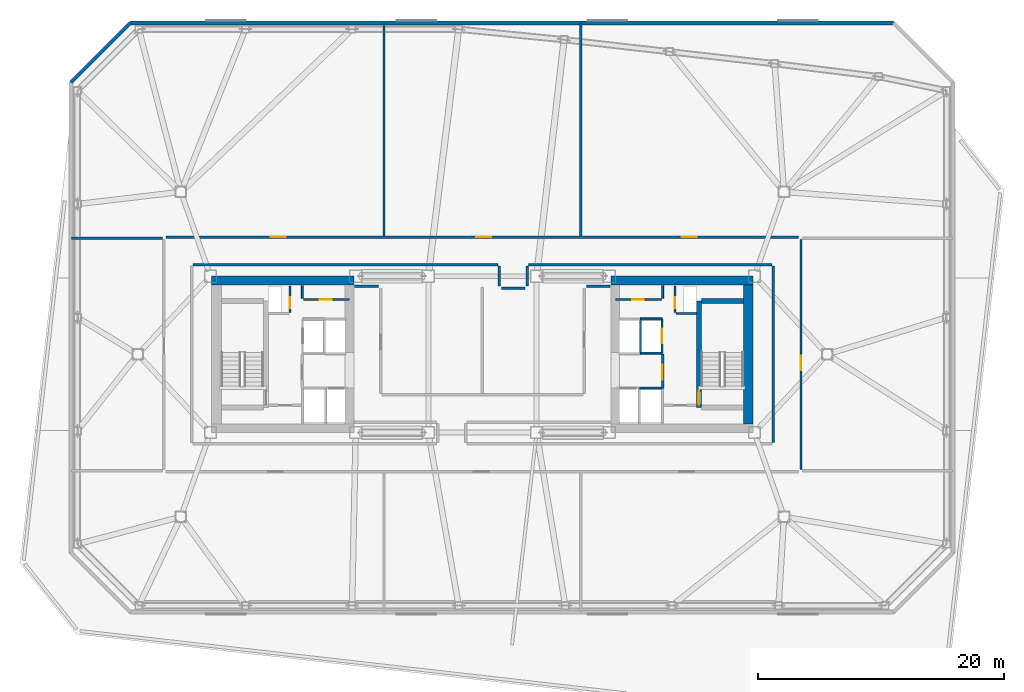
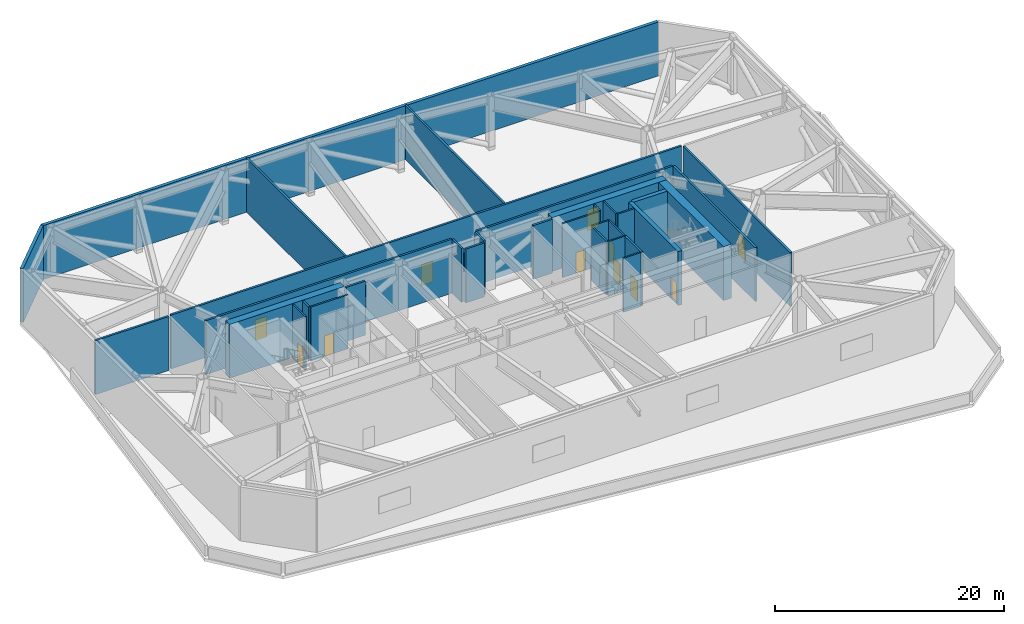
# One storey, part 5 of 12: 33 walls, 11 doors, 11 openings.
"""IFC4 building model written with IfcOpenShell, lengths in metres."""

from ifc_helpers import new_model, si_unit, direction, frame, frame_2d, origin, place, context, subcontext, project, spatial, rectangle, extrude, material, layer, layer_set, type_object, element, fill, save


model = new_model("IFC4")

# Units and contexts
model_context = context("Model", 3, precision=1e-05, world=origin(), true_north=direction((0.0, 1.0)))
body_context = subcontext(model_context, "Body", "Model", "MODEL_VIEW")
ifc_project = project(units=[si_unit("LENGTHUNIT", "METRE"), si_unit("AREAUNIT", "SQUARE_METRE"), si_unit("VOLUMEUNIT", "CUBIC_METRE"), si_unit("PLANEANGLEUNIT", "RADIAN"), si_unit("MASSUNIT", "GRAM", prefix="KILO")], contexts=[model_context])

# Site, building, storey
site_placement = place(None, origin())
site = spatial("IfcSite", under=ifc_project, at=site_placement, CompositionType="ELEMENT")
building_placement = place(site_placement, origin())
building = spatial("IfcBuilding", under=site, at=building_placement, Name="Tavrogorsk Clinical Tower", CompositionType="ELEMENT")
storey_placement = place(building_placement, frame((0.0, 0.0, 146.199951171875)))
storey = spatial("IfcBuildingStorey", under=building, at=storey_placement, Name="L33", CompositionType="ELEMENT", Elevation=146.199951171875)

# Wall, opening, door
ifc_material_1 = material(Name="Concrete B60", Category="concrete")
ifc_layer_1 = layer(ifc_material_1, 0.199951171875)
ifc_layer_set_1 = layer_set([ifc_layer_1], Name="Concrete B60")
wall_type_1 = type_object("IfcWallType", Name="CoreFireWall_200", PredefinedType="SOLIDWALL", material=ifc_layer_set_1)
wall_1_placement = place(storey_placement, frame((14.639892578125, -2.780029296875, 0.0), z_axis=(0.0, 0.0, 1.0), x_axis=(0.0, 1.0, 0.0)))
wall_1 = element("IfcWall", 1, at=wall_1_placement, inside=storey, type_object=wall_type_1, Name="L33 Core East Firefighting Lobby Fire Wall", PredefinedType="SOLIDWALL", context=body_context, shape_type="SweptSolid", body=[
    extrude(rectangle(XDim=2.820068359375, YDim=0.199951171875, at=frame_2d((1.41015625, 0.0))), origin(), (0.0, 0.0, 1.0), 5.739990234375),
])
opening_1_placement = place(wall_1_placement, frame((0.72998046875, 0.0, 0.0)))
opening_1 = element("IfcOpeningElement", 2, at=opening_1_placement, cuts=wall_1, Name="Opening FD-01", PredefinedType="OPENING", context=body_context, shape_type="SweptSolid", body=[
    extrude(rectangle(XDim=1.199951171875, YDim=2.199951171875, at=frame_2d((0.60009765625, 1.10009765625))), frame((0.0, 0.10986328125, 0.0), z_axis=(0.0, -1.0, 0.0), x_axis=(1.0, 0.0, 0.0)), (0.0, 0.0, 1.0), 0.219970703125),
])
ifc_material_2 = material(Name="Galvanised steel fire-rated door assembly", Category="steel")
door_type_1 = type_object("IfcDoorType", Name="FireDoor_FD01_1200", OperationType="NOTDEFINED", PredefinedType="DOOR", material=ifc_material_2)
door_1_placement = place(opening_1_placement, origin())
door_1 = element("IfcDoor", 3, at=door_1_placement, inside=storey, type_object=door_type_1, Name="L33 Core East Firefighting Lobby Entry Door", OperationType="SINGLE_SWING_RIGHT", OverallHeight=2.199951171875, OverallWidth=1.199951171875, PredefinedType="DOOR", context=body_context, shape_type="SweptSolid", body=[
    extrude(rectangle(XDim=1.199951171875, YDim=2.199951171875, at=frame_2d((0.60009765625, 1.10009765625))), frame((0.0, 0.02490234375, 0.0), z_axis=(0.0, -1.0, 0.0), x_axis=(1.0, 0.0, 0.0)), (0.0, 0.0, 1.0), 0.050048828125),
])
fill(opening_1, door_1)

# Wall, openings, doors
wall_2_placement = place(storey_placement, frame((-25.695068359375, 9.530029296875, 0.0), z_axis=(0.0, 0.0, 1.0), x_axis=(1.0, 0.0, 0.0)))
wall_2 = element("IfcWall", 4, at=wall_2_placement, inside=storey, type_object=wall_type_1, Name="L33 Refuge Corridor Fire Wall 02", PredefinedType="SOLIDWALL", context=body_context, shape_type="SweptSolid", body=[
    extrude(rectangle(XDim=51.39013671875, YDim=0.199951171875, at=frame_2d((25.695068359375, 0.0))), origin(), (0.0, 0.0, 1.0), 5.739990234375),
])
opening_2_placement = place(wall_2_placement, frame((25.199951171875, 0.0, 0.0)))
opening_2 = element("IfcOpeningElement", 5, at=opening_2_placement, cuts=wall_2, Name="Opening FD-01", PredefinedType="OPENING", context=body_context, shape_type="SweptSolid", body=[
    extrude(rectangle(XDim=1.199951171875, YDim=2.199951171875, at=frame_2d((0.60009765625, 1.10009765625))), frame((0.0, 0.10986328125, 0.0), z_axis=(0.0, -1.0, 0.0), x_axis=(1.0, 0.0, 0.0)), (0.0, 0.0, 1.0), 0.219970703125),
])
opening_3_placement = place(wall_2_placement, frame((8.494140625, 0.0, 0.0)))
opening_3 = element("IfcOpeningElement", 6, at=opening_3_placement, cuts=wall_2, Name="Opening FD-01", PredefinedType="OPENING", context=body_context, shape_type="SweptSolid", body=[
    extrude(rectangle(XDim=1.199951171875, YDim=2.199951171875, at=frame_2d((0.60009765625, 1.10009765625))), frame((0.0, 0.10986328125, 0.0), z_axis=(0.0, -1.0, 0.0), x_axis=(1.0, 0.0, 0.0)), (0.0, 0.0, 1.0), 0.219970703125),
])
opening_4_placement = place(wall_2_placement, frame((41.906005859375, 0.0, 0.0)))
opening_4 = element("IfcOpeningElement", 7, at=opening_4_placement, cuts=wall_2, Name="Opening FD-01", PredefinedType="OPENING", context=body_context, shape_type="SweptSolid", body=[
    extrude(rectangle(XDim=1.199951171875, YDim=2.199951171875, at=frame_2d((0.60009765625, 1.10009765625))), frame((0.0, 0.10986328125, 0.0), z_axis=(0.0, -1.0, 0.0), x_axis=(1.0, 0.0, 0.0)), (0.0, 0.0, 1.0), 0.219970703125),
])
door_2_placement = place(opening_2_placement, origin())
door_2 = element("IfcDoor", 8, at=door_2_placement, inside=storey, type_object=door_type_1, Name="L33 Assisted Bariatric Evacuation Refuge North Fire Door", OperationType="SINGLE_SWING_RIGHT", OverallHeight=2.199951171875, OverallWidth=1.199951171875, PredefinedType="DOOR", context=body_context, shape_type="SweptSolid", body=[
    extrude(rectangle(XDim=1.199951171875, YDim=2.199951171875, at=frame_2d((0.60009765625, 1.10009765625))), frame((0.0, 0.02490234375, 0.0), z_axis=(0.0, -1.0, 0.0), x_axis=(1.0, 0.0, 0.0)), (0.0, 0.0, 1.0), 0.050048828125),
])
fill(opening_2, door_2)
door_3_placement = place(opening_3_placement, origin())
door_3 = element("IfcDoor", 9, at=door_3_placement, inside=storey, type_object=door_type_1, Name="L33 HEPA Isolation AHU Plant West Fire Door", OperationType="SINGLE_SWING_LEFT", OverallHeight=2.199951171875, OverallWidth=1.199951171875, PredefinedType="DOOR", context=body_context, shape_type="SweptSolid", body=[
    extrude(rectangle(XDim=1.199951171875, YDim=2.199951171875, at=frame_2d((0.60009765625, 1.10009765625))), frame((0.0, 0.02490234375, 0.0), z_axis=(0.0, -1.0, 0.0), x_axis=(1.0, 0.0, 0.0)), (0.0, 0.0, 1.0), 0.050048828125),
])
fill(opening_3, door_3)
door_4_placement = place(opening_4_placement, origin())
door_4 = element("IfcDoor", 10, at=door_4_placement, inside=storey, type_object=door_type_1, Name="L33 HEPA Isolation AHU Plant East Fire Door", OperationType="SINGLE_SWING_RIGHT", OverallHeight=2.199951171875, OverallWidth=1.199951171875, PredefinedType="DOOR", context=body_context, shape_type="SweptSolid", body=[
    extrude(rectangle(XDim=1.199951171875, YDim=2.199951171875, at=frame_2d((0.60009765625, 1.10009765625))), frame((0.0, 0.02490234375, 0.0), z_axis=(0.0, -1.0, 0.0), x_axis=(1.0, 0.0, 0.0)), (0.0, 0.0, 1.0), 0.050048828125),
])
fill(opening_4, door_4)

# Wall, opening, door
wall_3_placement = place(storey_placement, frame((25.8798828125, 9.344970703125, 0.0), z_axis=(0.0, 0.0, 1.0), x_axis=(0.0, -1.0, 0.0)))
wall_3 = element("IfcWall", 11, at=wall_3_placement, inside=storey, type_object=wall_type_1, Name="L33 Refuge Corridor Fire Wall 03", PredefinedType="SOLIDWALL", context=body_context, shape_type="SweptSolid", body=[
    extrude(rectangle(XDim=18.68994140625, YDim=0.199951171875, at=frame_2d((9.344970703125, 0.0))), origin(), (0.0, 0.0, 1.0), 5.739990234375),
])
opening_5_placement = place(wall_3_placement, frame((9.449951171875, 0.0, 0.0)))
opening_5 = element("IfcOpeningElement", 12, at=opening_5_placement, cuts=wall_3, Name="Opening FD-01", PredefinedType="OPENING", context=body_context, shape_type="SweptSolid", body=[
    extrude(rectangle(XDim=1.199951171875, YDim=2.199951171875, at=frame_2d((0.60009765625, 1.10009765625))), frame((0.0, 0.10986328125, 0.0), z_axis=(0.0, -1.0, 0.0), x_axis=(1.0, 0.0, 0.0)), (0.0, 0.0, 1.0), 0.219970703125),
])
door_5_placement = place(opening_5_placement, origin())
door_5 = element("IfcDoor", 13, at=door_5_placement, inside=storey, type_object=door_type_1, Name="L33 Smoke Extract & Damper Plenum East Fire Door", OperationType="SINGLE_SWING_RIGHT", OverallHeight=2.199951171875, OverallWidth=1.199951171875, PredefinedType="DOOR", context=body_context, shape_type="SweptSolid", body=[
    extrude(rectangle(XDim=1.199951171875, YDim=2.199951171875, at=frame_2d((0.60009765625, 1.10009765625))), frame((0.0, 0.02490234375, 0.0), z_axis=(0.0, -1.0, 0.0), x_axis=(1.0, 0.0, 0.0)), (0.0, 0.0, 1.0), 0.050048828125),
])
fill(opening_5, door_5)

# Walls
for number, where, z_axis, x_axis, name in (
    (14, (-10.3798828125, 5.530029296875, 0.0), (0.0, 0.0, 1.0), (1.0, 0.0, 0.0), "L33 Refuge Corridor Fire Wall 07"),
    (15, (8.455078125, 5.530029296875, 0.0), (0.0, 0.0, 1.0), (1.0, 0.0, 0.0), "L33 Refuge Corridor Fire Wall 11"),
):
    element("IfcWall", number, at=place(storey_placement, frame(where, z_axis=z_axis, x_axis=x_axis)), inside=storey, type_object=wall_type_1, Name=name, PredefinedType="SOLIDWALL", context=body_context, shape_type="SweptSolid", body=[
        extrude(rectangle(XDim=1.9248046875, YDim=0.199951171875, at=frame_2d((0.96240234375, 0.0))), origin(), (0.0, 0.0, 1.0), 5.739990234375),
    ])
wall_4_placement = place(storey_placement, frame((23.6201171875, -7.1650390625, 0.0), z_axis=(0.0, 0.0, 1.0), x_axis=(0.0, 1.0, 0.0)))
element("IfcWall", 16, at=wall_4_placement, inside=storey, type_object=wall_type_1, Name="L33 Refuge Corridor Fire Wall 15", PredefinedType="SOLIDWALL", context=body_context, shape_type="SweptSolid", body=[
    extrude(rectangle(XDim=14.330078125, YDim=0.199951171875, at=frame_2d((7.1650390625, 0.0))), origin(), (0.0, 0.0, 1.0), 5.739990234375),
])
wall_5_placement = place(storey_placement, frame((23.514892578125, 7.27001953125, 0.0), z_axis=(0.0, 0.0, 1.0), x_axis=(-1.0, 0.0, 0.0)))
element("IfcWall", 17, at=wall_5_placement, inside=storey, type_object=wall_type_1, Name="L33 Refuge Corridor Fire Wall 16", PredefinedType="SOLIDWALL", context=body_context, shape_type="SweptSolid", body=[
    extrude(rectangle(XDim=19.77978515625, YDim=0.199951171875, at=frame_2d((9.889892578125, 0.0))), origin(), (0.0, 0.0, 1.0), 5.739990234375),
])
wall_6_placement = place(storey_placement, frame((3.6298828125, 7.1650390625, 0.0), z_axis=(0.0, 0.0, 1.0), x_axis=(0.0, -1.0, 0.0)))
element("IfcWall", 18, at=wall_6_placement, inside=storey, type_object=wall_type_1, Name="L33 Refuge Corridor Fire Wall 17", PredefinedType="SOLIDWALL", context=body_context, shape_type="SweptSolid", body=[
    extrude(rectangle(XDim=1.610107421875, YDim=0.199951171875, at=frame_2d((0.80517578125, 0.0))), origin(), (0.0, 0.0, 1.0), 5.739990234375),
])
wall_7_placement = place(storey_placement, frame((3.445068359375, 5.3701171875, 0.0), z_axis=(0.0, 0.0, 1.0), x_axis=(-1.0, 0.0, 0.0)))
element("IfcWall", 19, at=wall_7_placement, inside=storey, type_object=wall_type_1, Name="L33 Refuge Corridor Fire Wall 18", PredefinedType="SOLIDWALL", context=body_context, shape_type="SweptSolid", body=[
    extrude(rectangle(XDim=1.89013671875, YDim=0.199951171875, at=frame_2d((0.945068359375, 0.0))), origin(), (0.0, 0.0, 1.0), 5.739990234375),
])
wall_8_placement = place(storey_placement, frame((1.3701171875, 5.554931640625, 0.0), z_axis=(0.0, 0.0, 1.0), x_axis=(0.0, 1.0, 0.0)))
element("IfcWall", 20, at=wall_8_placement, inside=storey, type_object=wall_type_1, Name="L33 Refuge Corridor Fire Wall 19", PredefinedType="SOLIDWALL", context=body_context, shape_type="SweptSolid", body=[
    extrude(rectangle(XDim=1.610107421875, YDim=0.199951171875, at=frame_2d((0.80517578125, 0.0))), origin(), (0.0, 0.0, 1.0), 5.739990234375),
])
wall_9_placement = place(storey_placement, frame((1.264892578125, 7.27001953125, 0.0), z_axis=(0.0, 0.0, 1.0), x_axis=(-1.0, 0.0, 0.0)))
element("IfcWall", 21, at=wall_9_placement, inside=storey, type_object=wall_type_1, Name="L33 Refuge Corridor Fire Wall 20", PredefinedType="SOLIDWALL", context=body_context, shape_type="SweptSolid", body=[
    extrude(rectangle(XDim=24.77978515625, YDim=0.199951171875, at=frame_2d((12.389892578125, 0.0))), origin(), (0.0, 0.0, 1.0), 5.739990234375),
])
wall_10_placement = place(storey_placement, frame((-33.3798828125, 9.449951171875, 0.0), z_axis=(0.0, 0.0, 1.0), x_axis=(1.0, 0.0, 0.0)))
element("IfcWall", 22, at=wall_10_placement, inside=storey, type_object=wall_type_1, Name="L33 Refuge & Plant Fire Wall 3", PredefinedType="SOLIDWALL", context=body_context, shape_type="SweptSolid", body=[
    extrude(rectangle(XDim=7.394775390625, YDim=0.199951171875, at=frame_2d((3.697265625, 0.0))), origin(), (0.0, 0.0, 1.0), 5.739990234375),
])
for number, where, z_axis, x_axis, name in (
    (23, (-8.0, 9.635009765625, 0.0), (0.0, 0.0, 1.0), (0.0, 1.0, 0.0), "L33 Refuge & Plant Fire Wall 7"),
    (24, (8.0, 9.635009765625, 0.0), (0.0, 0.0, 1.0), (0.0, 1.0, 0.0), "L33 Refuge & Plant Fire Wall 8"),
):
    element("IfcWall", number, at=place(storey_placement, frame(where, z_axis=z_axis, x_axis=x_axis)), inside=storey, type_object=wall_type_1, Name=name, PredefinedType="SOLIDWALL", context=body_context, shape_type="SweptSolid", body=[
        extrude(rectangle(XDim=17.244873046875, YDim=0.199951171875, at=frame_2d((8.62255859375, 0.0))), origin(), (0.0, 0.0, 1.0), 5.739990234375),
    ])

# Wall, opening, door
ifc_material_3 = material(Name="Lightweight concrete blockwork B15", Category="masonry")
ifc_layer_2 = layer(ifc_material_3, 0.159912109375)
ifc_layer_set_2 = layer_set([ifc_layer_2], Name="Lightweight concrete blockwork B15")
wall_type_2 = type_object("IfcWallType", Name="PartitionWall_160", PredefinedType="PARTITIONING", material=ifc_layer_set_2)
wall_11_placement = place(storey_placement, frame((-14.554931640625, 4.4599609375, 0.0), z_axis=(0.0, 0.0, 1.0), x_axis=(1.0, 0.0, 0.0)))
wall_11 = element("IfcWall", 25, at=wall_11_placement, inside=storey, type_object=wall_type_2, Name="L33 Core West Pneumatic Dispatch South Wall", PredefinedType="PARTITIONING", context=body_context, shape_type="SweptSolid", body=[
    extrude(rectangle(XDim=3.7548828125, YDim=0.159912109375, at=frame_2d((1.87744140625, 0.0))), origin(), (0.0, 0.0, 1.0), 5.739990234375),
])
opening_6_placement = place(wall_11_placement, frame((1.35009765625, 0.0, 0.0)))
opening_6 = element("IfcOpeningElement", 26, at=opening_6_placement, cuts=wall_11, Name="Opening ID-02", PredefinedType="OPENING", context=body_context, shape_type="SweptSolid", body=[
    extrude(rectangle(XDim=0.949951171875, YDim=2.199951171875, at=frame_2d((0.47509765625, 1.10009765625))), frame((0.0, 0.08984375, 0.0), z_axis=(0.0, -1.0, 0.0), x_axis=(1.0, 0.0, 0.0)), (0.0, 0.0, 1.0), 0.179931640625),
])
ifc_material_4 = material(Name="Laminated timber leaf on aluminium frame", Category="wood")
door_type_2 = type_object("IfcDoorType", Name="InteriorDoor_ID02_950", OperationType="NOTDEFINED", PredefinedType="DOOR", material=ifc_material_4)
door_6_placement = place(opening_6_placement, origin())
door_6 = element("IfcDoor", 27, at=door_6_placement, inside=storey, type_object=door_type_2, Name="L33 Core West Pneumatic Dispatch Door", OperationType="SINGLE_SWING_LEFT", OverallHeight=2.199951171875, OverallWidth=0.949951171875, PredefinedType="DOOR", context=body_context, shape_type="SweptSolid", body=[
    extrude(rectangle(XDim=0.949951171875, YDim=2.199951171875, at=frame_2d((0.47509765625, 1.10009765625))), frame((0.0, 0.02490234375, 0.0), z_axis=(0.0, -1.0, 0.0), x_axis=(1.0, 0.0, 0.0)), (0.0, 0.0, 1.0), 0.050048828125),
])
fill(opening_6, door_6)

# Wall
wall_12_placement = place(storey_placement, frame((-14.639892578125, 4.544921875, 0.0), z_axis=(0.0, 0.0, 1.0), x_axis=(0.0, 1.0, 0.0)))
element("IfcWall", 28, at=wall_12_placement, inside=storey, type_object=wall_type_2, Name="L33 Core West Pneumatic Dispatch East Wall", PredefinedType="PARTITIONING", context=body_context, shape_type="SweptSolid", body=[
    extrude(rectangle(XDim=1.01513671875, YDim=0.159912109375, at=frame_2d((0.507568359375, 0.0))), origin(), (0.0, 0.0, 1.0), 5.739990234375),
])

# Wall, opening, door
wall_13_placement = place(storey_placement, frame((10.800048828125, 4.4599609375, 0.0), z_axis=(0.0, 0.0, 1.0), x_axis=(1.0, 0.0, 0.0)))
wall_13 = element("IfcWall", 29, at=wall_13_placement, inside=storey, type_object=wall_type_2, Name="L33 Core East Pneumatic Dispatch South Wall", PredefinedType="PARTITIONING", context=body_context, shape_type="SweptSolid", body=[
    extrude(rectangle(XDim=3.7548828125, YDim=0.159912109375, at=frame_2d((1.87744140625, 0.0))), origin(), (0.0, 0.0, 1.0), 5.739990234375),
])
opening_7_placement = place(wall_13_placement, frame((1.35009765625, 0.0, 0.0)))
opening_7 = element("IfcOpeningElement", 30, at=opening_7_placement, cuts=wall_13, Name="Opening ID-02", PredefinedType="OPENING", context=body_context, shape_type="SweptSolid", body=[
    extrude(rectangle(XDim=0.949951171875, YDim=2.199951171875, at=frame_2d((0.47509765625, 1.10009765625))), frame((0.0, 0.08984375, 0.0), z_axis=(0.0, -1.0, 0.0), x_axis=(1.0, 0.0, 0.0)), (0.0, 0.0, 1.0), 0.179931640625),
])
door_7_placement = place(opening_7_placement, origin())
door_7 = element("IfcDoor", 31, at=door_7_placement, inside=storey, type_object=door_type_2, Name="L33 Core East Pneumatic Dispatch Door", OperationType="SINGLE_SWING_LEFT", OverallHeight=2.199951171875, OverallWidth=0.949951171875, PredefinedType="DOOR", context=body_context, shape_type="SweptSolid", body=[
    extrude(rectangle(XDim=0.949951171875, YDim=2.199951171875, at=frame_2d((0.47509765625, 1.10009765625))), frame((0.0, 0.02490234375, 0.0), z_axis=(0.0, -1.0, 0.0), x_axis=(1.0, 0.0, 0.0)), (0.0, 0.0, 1.0), 0.050048828125),
])
fill(opening_7, door_7)

# Walls
wall_14_placement = place(storey_placement, frame((14.639892578125, 4.544921875, 0.0), z_axis=(0.0, 0.0, 1.0), x_axis=(0.0, 1.0, 0.0)))
element("IfcWall", 32, at=wall_14_placement, inside=storey, type_object=wall_type_2, Name="L33 Core East Pneumatic Dispatch East Wall", PredefinedType="PARTITIONING", context=body_context, shape_type="SweptSolid", body=[
    extrude(rectangle(XDim=1.01513671875, YDim=0.159912109375, at=frame_2d((0.507568359375, 0.0))), origin(), (0.0, 0.0, 1.0), 5.739990234375),
])
ifc_material_5 = material(Name="Precast concrete B45 acoustic plenum wall", Category="concrete")
ifc_layer_3 = layer(ifc_material_5, 0.320068359375)
ifc_layer_set_3 = layer_set([ifc_layer_3], Name="Precast concrete B45 acoustic plenum wall")
wall_type_3 = type_object("IfcWallType", Name="PlantLouvreWall_320", PredefinedType="STANDARD", material=ifc_layer_set_3)
wall_15_placement = place(storey_placement, frame((33.39990234375, 26.93994140625, 0.0), z_axis=(0.0, 0.0, 1.0), x_axis=(-1.0, 0.0, 0.0)))
element("IfcWall", 33, at=wall_15_placement, inside=storey, type_object=wall_type_3, Name="L33 N Limestone Facade Wall 1", PredefinedType="STANDARD", context=body_context, shape_type="SweptSolid", body=[
    extrude(rectangle(XDim=62.0, YDim=0.320068359375, at=frame_2d((31.0, 0.0))), origin(), (0.0, 0.0, 1.0), 5.739990234375),
])

# Wall, opening, door
ifc_material_6 = material(Name="Lightweight concrete blockwork B25", Category="masonry")
ifc_layer_4 = layer(ifc_material_6, 0.159912109375)
ifc_layer_set_4 = layer_set([ifc_layer_4], Name="Lightweight concrete blockwork B25")
wall_type_4 = type_object("IfcWallType", Name="ShaftWall_160", PredefinedType="PARTITIONING", material=ifc_layer_set_4)
wall_16_placement = place(storey_placement, frame((14.60009765625, 0.1201171875, 0.0), z_axis=(0.0, 0.0, 1.0), x_axis=(0.0, 1.0, 0.0)))
wall_16 = element("IfcWall", 34, at=wall_16_placement, inside=storey, type_object=wall_type_4, Name="L33 FFL-E Firefighting Lift Front Wall", PredefinedType="PARTITIONING", context=body_context, shape_type="SweptSolid", body=[
    extrude(rectangle(XDim=2.739990234375, YDim=0.159912109375, at=frame_2d((1.3701171875, 0.0))), origin(), (0.0, 0.0, 1.0), 5.739990234375),
])
opening_8_placement = place(wall_16_placement, frame((0.77001953125, 0.0, 0.0)))
opening_8 = element("IfcOpeningElement", 35, at=opening_8_placement, cuts=wall_16, Name="Opening LD", PredefinedType="OPENING", context=body_context, shape_type="SweptSolid", body=[
    extrude(rectangle(XDim=1.199951171875, YDim=2.199951171875, at=frame_2d((0.60009765625, 1.10009765625))), frame((0.0, 0.08984375, 0.0), z_axis=(0.0, -1.0, 0.0), x_axis=(1.0, 0.0, 0.0)), (0.0, 0.0, 1.0), 0.179931640625),
])
ifc_material_7 = material(Name="Brushed stainless steel AISI 304 sliding doors", Category="steel")
door_type_3 = type_object("IfcDoorType", Name="LiftLandingDoor_LD_1200", OperationType="SLIDING_TO_LEFT", PredefinedType="DOOR", material=ifc_material_7)
door_8_placement = place(opening_8_placement, origin())
door_8 = element("IfcDoor", 36, at=door_8_placement, inside=storey, type_object=door_type_3, Name="L33 FFL-E Sliding Lift Landing Door", OperationType="SLIDING_TO_LEFT", OverallHeight=2.199951171875, OverallWidth=1.199951171875, PredefinedType="DOOR", context=body_context, shape_type="SweptSolid", body=[
    extrude(rectangle(XDim=1.199951171875, YDim=2.199951171875, at=frame_2d((0.60009765625, 1.10009765625))), frame((0.0, 0.02490234375, 0.0), z_axis=(0.0, -1.0, 0.0), x_axis=(1.0, 0.0, 0.0)), (0.0, 0.0, 1.0), 0.050048828125),
])
fill(opening_8, door_8)

# Walls
for number, where, z_axis, x_axis, name in (
    (37, (12.840087890625, 0.10009765625, 0.0), (0.0, 0.0, 1.0), (1.0, 0.0, 0.0), "L33 FFL-E Shaft South Wall"),
    (38, (12.840087890625, 2.8798828125, 0.0), (0.0, 0.0, 1.0), (1.0, 0.0, 0.0), "L33 FFL-E Shaft North Wall"),
):
    element("IfcWall", number, at=place(storey_placement, frame(where, z_axis=z_axis, x_axis=x_axis)), inside=storey, type_object=wall_type_4, Name=name, PredefinedType="PARTITIONING", context=body_context, shape_type="SweptSolid", body=[
        extrude(rectangle(XDim=1.760009765625, YDim=0.159912109375, at=frame_2d((0.8798828125, 0.0))), origin(), (0.0, 0.0, 1.0), 5.739990234375),
    ])
wall_17_placement = place(storey_placement, frame((12.840087890625, 0.179931640625, 0.0), z_axis=(0.0, 0.0, 1.0), x_axis=(0.0, 1.0, 0.0)))
element("IfcWall", 39, at=wall_17_placement, inside=storey, type_object=wall_type_4, Name="L33 FFL-E Shaft Back Wall", PredefinedType="PARTITIONING", context=body_context, shape_type="SweptSolid", body=[
    extrude(rectangle(XDim=2.6201171875, YDim=0.159912109375, at=frame_2d((1.31005859375, 0.0))), origin(), (0.0, 0.0, 1.0), 5.739990234375),
])
wall_18_placement = place(storey_placement, frame((12.77001953125, -2.75, 0.0), z_axis=(0.0, 0.0, 1.0), x_axis=(1.0, 0.0, 0.0)))
element("IfcWall", 40, at=wall_18_placement, inside=storey, type_object=wall_type_4, Name="L33 LP-L2 Lift Shaft Portal Wall", PredefinedType="PARTITIONING", context=body_context, shape_type="SweptSolid", body=[
    extrude(rectangle(XDim=1.760009765625, YDim=0.159912109375, at=frame_2d((0.8798828125, 0.0))), origin(), (0.0, 0.0, 1.0), 5.739990234375),
])

# Wall, opening, door
wall_19_placement = place(storey_placement, frame((-15.639892578125, 3.405029296875, 0.0), z_axis=(0.0, 0.0, 1.0), x_axis=(0.0, 1.0, 0.0)))
wall_19 = element("IfcWall", 41, at=wall_19_placement, inside=storey, type_object=wall_type_4, Name="L33 Core West Riser West Wall", PredefinedType="PARTITIONING", context=body_context, shape_type="SweptSolid", body=[
    extrude(rectangle(XDim=2.155029296875, YDim=0.159912109375, at=frame_2d((1.07763671875, 0.0))), origin(), (0.0, 0.0, 1.0), 5.739990234375),
])
opening_9_placement = place(wall_19_placement, frame((0.35009765625, 0.0, 0.0)))
opening_9 = element("IfcOpeningElement", 42, at=opening_9_placement, cuts=wall_19, Name="Opening FD-02", PredefinedType="OPENING", context=body_context, shape_type="SweptSolid", body=[
    extrude(rectangle(XDim=0.89990234375, YDim=2.199951171875, at=frame_2d((0.449951171875, 1.10009765625))), frame((0.0, 0.08984375, 0.0), z_axis=(0.0, -1.0, 0.0), x_axis=(1.0, 0.0, 0.0)), (0.0, 0.0, 1.0), 0.179931640625),
])
ifc_material_8 = material(Name="Galvanised steel fire-rated door assembly", Category="steel")
door_type_4 = type_object("IfcDoorType", Name="FireDoor_FD02_900", OperationType="NOTDEFINED", PredefinedType="DOOR", material=ifc_material_8)
door_9_placement = place(opening_9_placement, origin())
door_9 = element("IfcDoor", 43, at=door_9_placement, inside=storey, type_object=door_type_4, Name="L33 Core West Electrical Riser Access Door", OperationType="SINGLE_SWING_LEFT", OverallHeight=2.199951171875, OverallWidth=0.89990234375, PredefinedType="DOOR", context=body_context, shape_type="SweptSolid", body=[
    extrude(rectangle(XDim=0.89990234375, YDim=2.199951171875, at=frame_2d((0.449951171875, 1.10009765625))), frame((0.0, 0.02490234375, 0.0), z_axis=(0.0, -1.0, 0.0), x_axis=(1.0, 0.0, 0.0)), (0.0, 0.0, 1.0), 0.050048828125),
])
fill(opening_9, door_9)

wall_20_placement = place(storey_placement, frame((15.639892578125, 3.405029296875, 0.0), z_axis=(0.0, 0.0, 1.0), x_axis=(0.0, 1.0, 0.0)))
wall_20 = element("IfcWall", 44, at=wall_20_placement, inside=storey, type_object=wall_type_4, Name="L33 Core East Riser West Wall", PredefinedType="PARTITIONING", context=body_context, shape_type="SweptSolid", body=[
    extrude(rectangle(XDim=2.155029296875, YDim=0.159912109375, at=frame_2d((1.07763671875, 0.0))), origin(), (0.0, 0.0, 1.0), 5.739990234375),
])
opening_10_placement = place(wall_20_placement, frame((0.35009765625, 0.0, 0.0)))
opening_10 = element("IfcOpeningElement", 45, at=opening_10_placement, cuts=wall_20, Name="Opening FD-02", PredefinedType="OPENING", context=body_context, shape_type="SweptSolid", body=[
    extrude(rectangle(XDim=0.89990234375, YDim=2.199951171875, at=frame_2d((0.449951171875, 1.10009765625))), frame((0.0, 0.08984375, 0.0), z_axis=(0.0, -1.0, 0.0), x_axis=(1.0, 0.0, 0.0)), (0.0, 0.0, 1.0), 0.179931640625),
])
door_10_placement = place(opening_10_placement, origin())
door_10 = element("IfcDoor", 46, at=door_10_placement, inside=storey, type_object=door_type_4, Name="L33 Core East Electrical Riser Access Door", OperationType="SINGLE_SWING_LEFT", OverallHeight=2.199951171875, OverallWidth=0.89990234375, PredefinedType="DOOR", context=body_context, shape_type="SweptSolid", body=[
    extrude(rectangle(XDim=0.89990234375, YDim=2.199951171875, at=frame_2d((0.449951171875, 1.10009765625))), frame((0.0, 0.02490234375, 0.0), z_axis=(0.0, -1.0, 0.0), x_axis=(1.0, 0.0, 0.0)), (0.0, 0.0, 1.0), 0.050048828125),
])
fill(opening_10, door_10)

# Wall
wall_21_placement = place(storey_placement, frame((15.72509765625, 3.320068359375, 0.0), z_axis=(0.0, 0.0, 1.0), x_axis=(1.0, 0.0, 0.0)))
element("IfcWall", 47, at=wall_21_placement, inside=storey, type_object=wall_type_4, Name="L33 Core East Riser South Wall", PredefinedType="PARTITIONING", context=body_context, shape_type="SweptSolid", body=[
    extrude(rectangle(XDim=1.65478515625, YDim=0.159912109375, at=frame_2d((0.827392578125, 0.0))), origin(), (0.0, 0.0, 1.0), 5.739990234375),
])

# Wall, opening, door
ifc_material_9 = material(Name="Concrete B80", Category="concrete")
ifc_layer_5 = layer(ifc_material_9, 0.39990234375)
ifc_layer_set_5 = layer_set([ifc_layer_5], Name="Concrete B80")
wall_type_5 = type_object("IfcWallType", Name="ShearWall_400", PredefinedType="SHEAR", material=ifc_layer_set_5)
wall_22_placement = place(storey_placement, frame((17.60009765625, -4.324951171875, 0.0), z_axis=(0.0, 0.0, 1.0), x_axis=(0.0, 1.0, 0.0)))
wall_22 = element("IfcWall", 48, at=wall_22_placement, inside=storey, type_object=wall_type_5, Name="L33 Core East Stair Shaft Inner Shear Wall", PredefinedType="SHEAR", context=body_context, shape_type="SweptSolid", body=[
    extrude(rectangle(XDim=8.64990234375, YDim=0.39990234375, at=frame_2d((4.324951171875, 0.0))), origin(), (0.0, 0.0, 1.0), 5.739990234375),
])
opening_11_placement = place(wall_22_placement, frame((0.25, 0.0, 0.0)))
opening_11 = element("IfcOpeningElement", 49, at=opening_11_placement, cuts=wall_22, Name="Opening SD-01", PredefinedType="OPENING", context=body_context, shape_type="SweptSolid", body=[
    extrude(rectangle(XDim=1.10009765625, YDim=2.199951171875, at=frame_2d((0.550048828125, 1.10009765625))), frame((0.0, 0.2099609375, 0.0), z_axis=(0.0, -1.0, 0.0), x_axis=(1.0, 0.0, 0.0)), (0.0, 0.0, 1.0), 0.419921875),
])
ifc_material_10 = material(Name="Galvanised steel smoke-tight fire door assembly", Category="steel")
door_type_5 = type_object("IfcDoorType", Name="StairFireDoor_SD01_1100", OperationType="NOTDEFINED", PredefinedType="DOOR", material=ifc_material_10)
door_11_placement = place(opening_11_placement, origin())
door_11 = element("IfcDoor", 50, at=door_11_placement, inside=storey, type_object=door_type_5, Name="L33 ST-E Exit Stair Door", OperationType="SINGLE_SWING_LEFT", OverallHeight=2.199951171875, OverallWidth=1.10009765625, PredefinedType="DOOR", context=body_context, shape_type="SweptSolid", body=[
    extrude(rectangle(XDim=1.10009765625, YDim=2.199951171875, at=frame_2d((0.550048828125, 1.10009765625))), frame((0.0, 0.02490234375, 0.0), z_axis=(0.0, -1.0, 0.0), x_axis=(1.0, 0.0, 0.0)), (0.0, 0.0, 1.0), 0.050048828125),
])
fill(opening_11, door_11)

# Walls
wall_23_placement = place(storey_placement, frame((17.800048828125, 4.324951171875, 0.0), z_axis=(0.0, 0.0, 1.0), x_axis=(1.0, 0.0, 0.0)))
element("IfcWall", 51, at=wall_23_placement, inside=storey, type_object=wall_type_5, Name="L33 Core East Stair Shaft North Shear Wall", PredefinedType="SHEAR", context=body_context, shape_type="SweptSolid", body=[
    extrude(rectangle(XDim=3.39990234375, YDim=0.39990234375, at=frame_2d((1.699951171875, 0.0))), origin(), (0.0, 0.0, 1.0), 5.739990234375),
])
ifc_material_11 = material(Name="Concrete B80", Category="concrete")
ifc_layer_6 = layer(ifc_material_11, 0.699951171875)
ifc_layer_set_6 = layer_set([ifc_layer_6], Name="Concrete B80")
wall_type_6 = type_object("IfcWallType", Name="ShearWall_700", PredefinedType="SHEAR", material=ifc_layer_set_6)
for number, where, z_axis, x_axis, name in (
    (52, (-22.0, 6.0, 0.0), (0.0, 0.0, 1.0), (1.0, 0.0, 0.0), "L33 Core West North Shear Wall"),
    (53, (10.449951171875, 6.0, 0.0), (0.0, 0.0, 1.0), (1.0, 0.0, 0.0), "L33 Core East North Shear Wall"),
):
    element("IfcWall", number, at=place(storey_placement, frame(where, z_axis=z_axis, x_axis=x_axis)), inside=storey, type_object=wall_type_6, Name=name, PredefinedType="SHEAR", context=body_context, shape_type="SweptSolid", body=[
        extrude(rectangle(XDim=11.550048828125, YDim=0.699951171875, at=frame_2d((5.77490234375, 0.0))), origin(), (0.0, 0.0, 1.0), 5.739990234375),
    ])
ifc_material_12 = material(Name="Concrete B80", Category="concrete")
ifc_layer_7 = layer(ifc_material_12, 0.800048828125)
ifc_layer_set_7 = layer_set([ifc_layer_7], Name="Concrete B80")
wall_type_7 = type_object("IfcWallType", Name="ShearWall_800", PredefinedType="SHEAR", material=ifc_layer_set_7)
wall_24_placement = place(storey_placement, frame((21.60009765625, -5.64990234375, 0.0), z_axis=(0.0, 0.0, 1.0), x_axis=(0.0, 1.0, 0.0)))
element("IfcWall", 54, at=wall_24_placement, inside=storey, type_object=wall_type_7, Name="L33 Core East End Shear Wall", PredefinedType="SHEAR", context=body_context, shape_type="SweptSolid", body=[
    extrude(rectangle(XDim=11.2998046875, YDim=0.800048828125, at=frame_2d((5.64990234375, 0.0))), origin(), (0.0, 0.0, 1.0), 5.739990234375),
])
ifc_material_13 = material(Name="Precast concrete B45 with mineral wool", Category="concrete")
ifc_layer_8 = layer(ifc_material_13, 0.300048828125)
ifc_layer_set_8 = layer_set([ifc_layer_8], Name="Precast concrete B45 with mineral wool")
wall_type_8 = type_object("IfcWallType", Name="SpandrelBackWall_300", PredefinedType="STANDARD", material=ifc_layer_set_8)
wall_25_placement = place(storey_placement, frame((-28.60009765625, 26.93994140625, 0.0), z_axis=(0.0, 0.0, 1.0), x_axis=(-0.707106781187, -0.707106781187, 0.0)))
element("IfcWall", 55, at=wall_25_placement, inside=storey, type_object=wall_type_8, Name="L33 Chamfered Corner Wall 3", PredefinedType="STANDARD", context=body_context, shape_type="SweptSolid", body=[
    extrude(rectangle(XDim=6.844482421875, YDim=0.300048828125, at=frame_2d((3.42236328125, 0.0))), origin(), (0.0, 0.0, 1.0), 5.739990234375),
])

save(model, "model.ifc")
